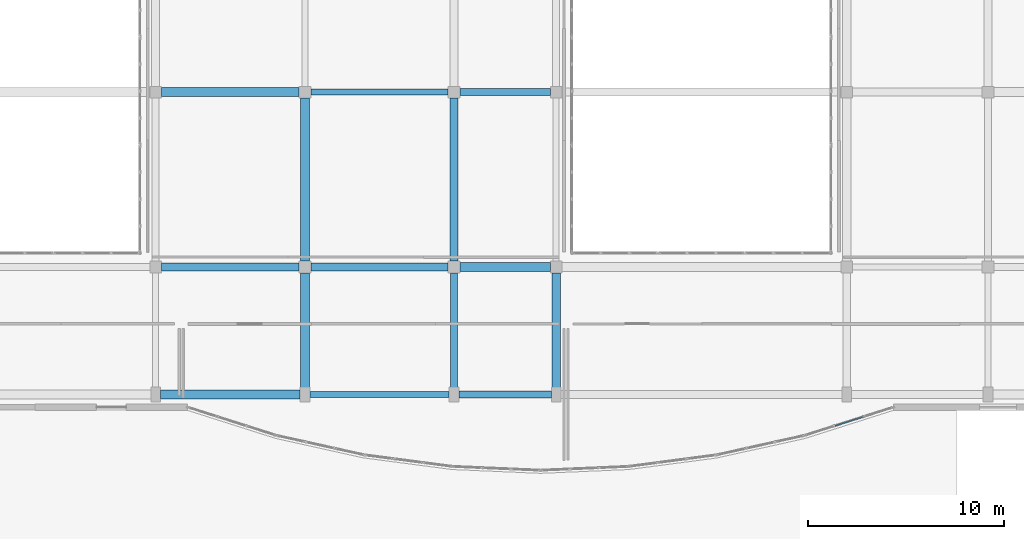
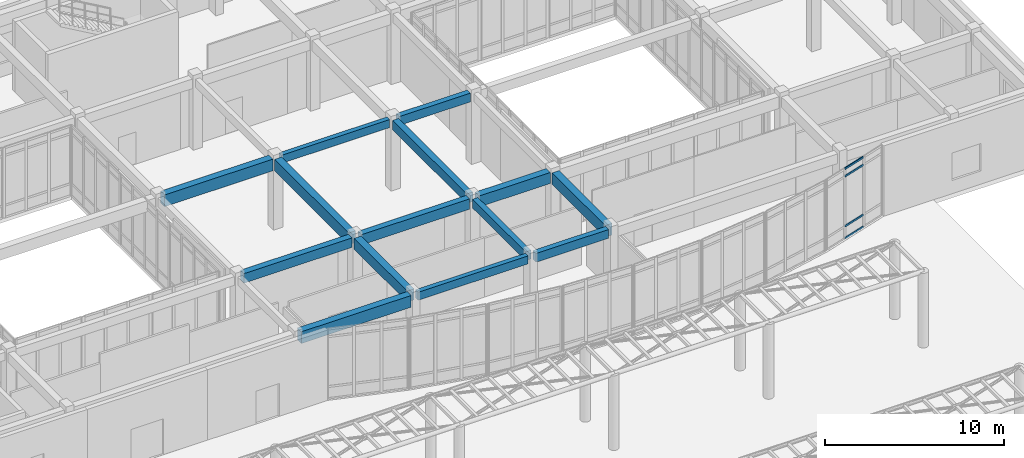
# One storey, part 58 of 121: 14 beams, 4 members, 1 element without a shape of its own.
"""IFC4 building model written with IfcOpenShell, lengths in metres."""

import ifcopenshell
import ifcopenshell.guid

model = None  # the IFC model being written
_history = None  # IfcOwnerHistory: only IFC2X3 demands one
_inside = {}  # id of a spatial element -> (the spatial element, [elements in it])
_under = {}  # id of a project, library or spatial element -> (it, [spatial elements below it])
_declared = {}  # id of a project -> (the project, [libraries it declares])
_typed = {}  # id of a type object -> (the type object, [elements of that type])
_made_of = {}  # id of a material, layer set ... -> (it, [elements and type objects made of it])


def new_model(schema):
    """Start an empty IFC model of exactly this schema.

    Asked for "IFC4X3", IfcOpenShell would pick the latest addendum, in which some entities
    have other attributes; the version numbers below select the first issue.
    IFC2X3 requires an IfcOwnerHistory on every rooted entity: one is made here for all.
    """
    global model, _history
    if schema == "IFC4X3":
        model = ifcopenshell.file(schema_version=(4, 3, 0, 0))
    else:
        model = ifcopenshell.file(schema=schema)
    _inside.clear()
    _under.clear()
    _declared.clear()
    _typed.clear()
    _made_of.clear()
    _history = None
    if model.schema == "IFC2X3":
        org = make("IfcOrganization", Name="unknown")
        user = make(
            "IfcPersonAndOrganization",
            ThePerson=make("IfcPerson", FamilyName="unknown"),
            TheOrganization=org,
        )
        app = make(
            "IfcApplication",
            ApplicationDeveloper=org,
            Version="unknown",
            ApplicationFullName="unknown",
            ApplicationIdentifier="unknown",
        )
        _history = make(
            "IfcOwnerHistory",
            OwningUser=user,
            OwningApplication=app,
            ChangeAction="ADDED",
            CreationDate=0,
        )
    return model


def make(cls, **values):
    """One entity of the class cls with the attributes given. An attribute that is None is left unset."""
    return model.create_entity(
        cls, **{name: value for name, value in values.items() if value is not None}
    )


def rooted(cls, **values):
    """An entity with a GlobalId (a new one), such as an element, a storey or a relation."""
    return make(cls, GlobalId=ifcopenshell.guid.new(), OwnerHistory=_history, **values)


def si_unit(unit_type, name, prefix=None):
    """IfcSIUnit, for example si_unit("LENGTHUNIT", "METRE", prefix="MILLI")."""
    return make("IfcSIUnit", UnitType=unit_type, Prefix=prefix, Name=name)


def assignment(units):
    """IfcUnitAssignment: the units of a project."""
    return None if units is None else make("IfcUnitAssignment", Units=units)


def point(xyz):
    """IfcCartesianPoint."""
    return None if xyz is None else make("IfcCartesianPoint", Coordinates=xyz)


def direction(xyz):
    """IfcDirection."""
    return None if xyz is None else make("IfcDirection", DirectionRatios=xyz)


def frame(location, z_axis=None, x_axis=None):
    """IfcAxis2Placement3D, a coordinate frame: its origin and axes. An axis left out is left unset."""
    return make(
        "IfcAxis2Placement3D",
        Location=point(location),
        Axis=direction(z_axis),
        RefDirection=direction(x_axis),
    )


def frame_2d(location, x_axis=None):
    """IfcAxis2Placement2D, a coordinate frame in the plane: its origin and x axis."""
    return make(
        "IfcAxis2Placement2D", Location=point(location), RefDirection=direction(x_axis)
    )


def origin():
    """The frame at (0, 0, 0) with its axes left unset."""
    return frame((0.0, 0.0, 0.0))


def origin_2d():
    """The frame at (0, 0) in the plane with its x axis left unset."""
    return frame_2d((0.0, 0.0))


def place(relative_to, where):
    """IfcLocalPlacement: puts the frame where relative to a parent placement (None: the world)."""
    return make(
        "IfcLocalPlacement", PlacementRelTo=relative_to, RelativePlacement=where
    )


def context(
    kind, dimensions, precision=None, world=None, true_north=None, identifier=None
):
    """IfcGeometricRepresentationContext, for example the 3D "Model" context."""
    return make(
        "IfcGeometricRepresentationContext",
        ContextIdentifier=identifier,
        ContextType=kind,
        CoordinateSpaceDimension=dimensions,
        Precision=precision,
        WorldCoordinateSystem=world,
        TrueNorth=true_north,
    )


def subcontext(parent, identifier, kind, view, scale=None):
    """IfcGeometricRepresentationSubContext, for example "Body" below "Model"."""
    return make(
        "IfcGeometricRepresentationSubContext",
        ContextIdentifier=identifier,
        ContextType=kind,
        ParentContext=parent,
        TargetScale=scale,
        TargetView=view,
    )


def project(units=None, contexts=None):
    """IfcProject with its units and contexts."""
    return rooted(
        "IfcProject",
        Name="project",
        RepresentationContexts=contexts,
        UnitsInContext=assignment(units),
    )


def spatial(cls, under=None, at=None, **own):
    """A site, building, storey or space (cls), placed at a placement, below another one or the project."""
    s = rooted(cls, ObjectPlacement=at, **own)
    if under is not None:
        _under.setdefault(under.id(), (under, []))[1].append(s)
    return s


def profile(cls, at=None, kind="AREA", **sizes):
    """A parametric profile (cls). Its sizes go by their IFC names, for example OverallWidth=200.0."""
    return make(cls, ProfileType=kind, Position=at, **sizes)


def rectangle(**sizes):
    """IfcRectangleProfileDef."""
    return profile("IfcRectangleProfileDef", **sizes)


def hollow_rectangle(**sizes):
    """IfcRectangleHollowProfileDef."""
    return profile("IfcRectangleHollowProfileDef", **sizes)


def extrude(swept, where, along, depth):
    """IfcExtrudedAreaSolid: the profile swept, set in the frame where, extruded along a direction by depth."""
    return make(
        "IfcExtrudedAreaSolid",
        SweptArea=swept,
        Position=where,
        ExtrudedDirection=direction(along),
        Depth=depth,
    )


def shape(context_of_items, identifier, shape_type, items):
    """IfcShapeRepresentation: the items that make up one representation, for example the "Body"."""
    return make(
        "IfcShapeRepresentation",
        ContextOfItems=context_of_items,
        RepresentationIdentifier=identifier,
        RepresentationType=shape_type,
        Items=items,
    )


def material(Name=None, Category=None):
    """IfcMaterial."""
    return make("IfcMaterial", Name=Name, Category=Category)


def layer(
    of_material, thickness, ventilated=None, Name=None, Category=None, Priority=None
):
    """IfcMaterialLayer: one layer of a wall or slab, of a material (None: an air gap)."""
    return make(
        "IfcMaterialLayer",
        Material=of_material,
        LayerThickness=thickness,
        IsVentilated=ventilated,
        Name=Name,
        Category=Category,
        Priority=Priority,
    )


def layer_set(layers, Name=None):
    """IfcMaterialLayerSet."""
    return make("IfcMaterialLayerSet", MaterialLayers=layers, LayerSetName=Name)


def material_profile(
    of_material, cross_section, Name=None, Category=None, Priority=None
):
    """IfcMaterialProfile: a cross section and its material."""
    return make(
        "IfcMaterialProfile",
        Name=Name,
        Material=of_material,
        Profile=cross_section,
        Priority=Priority,
        Category=Category,
    )


def profile_set(profiles, Name=None, composite=None):
    """IfcMaterialProfileSet."""
    return make(
        "IfcMaterialProfileSet",
        Name=Name,
        MaterialProfiles=profiles,
        CompositeProfile=composite,
    )


def made_of(thing, what):
    """Note that an element or type object is made of a material, layer set ...; save() writes the relation."""
    if what is not None:
        _made_of.setdefault(what.id(), (what, []))[1].append(thing)
    return thing


def type_object(cls, material=None, **own):
    """A type object (cls), such as IfcWallType, which elements share."""
    return made_of(rooted(cls, **own), material)


def element(
    cls,
    number,
    at=None,
    inside=None,
    cuts=None,
    type_object=None,
    material=None,
    context=None,
    identifier="Body",
    shape_type=None,
    held_by="IfcProductDefinitionShape",
    body=None,
    shapes=None,
    **own,
):
    """One element of the class cls, such as IfcWall. Its Tag is "e" and its number.

    at: its placement. inside: the storey or other place that contains it. cuts: it is an
    opening in that element (IfcRelVoidsElement). A single representation is given by context,
    identifier, shape_type and body (its items); several are given by shapes. held_by: the class
    of the entity that holds the representations. save() writes the other relations.
    """
    e = rooted(cls, Tag="e%d" % number, ObjectPlacement=at, **own)
    if body is not None:
        shapes = [shape(context, identifier, shape_type, body)]
    if shapes is not None:
        e.Representation = make(held_by, Representations=shapes)
    if inside is not None:
        _inside.setdefault(inside.id(), (inside, []))[1].append(e)
    if cuts is not None:
        rooted(
            "IfcRelVoidsElement", RelatingBuildingElement=cuts, RelatedOpeningElement=e
        )
    if type_object is not None:
        _typed.setdefault(type_object.id(), (type_object, []))[1].append(e)
    return made_of(e, material)


def aggregate(whole, parts):
    """IfcRelAggregates: a whole, such as a stair, and the parts it consists of."""
    return rooted("IfcRelAggregates", RelatingObject=whole, RelatedObjects=parts)


def save(model, path):
    """Write the relations noted so far, then the file.

    IfcRelAggregates (storeys below a building ...), IfcRelContainedInSpatialStructure (elements
    in a storey), IfcRelDefinesByType, IfcRelAssociatesMaterial and IfcRelDeclares: one each for
    every whole, place, type object, material and project.
    """
    for whole, parts in _under.values():
        aggregate(whole, parts)
    for where, things in _inside.values():
        rooted(
            "IfcRelContainedInSpatialStructure",
            RelatedElements=things,
            RelatingStructure=where,
        )
    for kind, things in _typed.values():
        rooted("IfcRelDefinesByType", RelatedObjects=things, RelatingType=kind)
    for what, things in _made_of.values():
        rooted("IfcRelAssociatesMaterial", RelatedObjects=things, RelatingMaterial=what)
    for by, libraries in _declared.values():
        rooted("IfcRelDeclares", RelatingContext=by, RelatedDefinitions=libraries)
    model.write(path)


model = new_model("IFC4")

# Units and contexts
model_context = context("Model", 3, precision=1e-05, world=origin(), true_north=direction((0.0, 1.0)))
body_context = subcontext(model_context, "Body", "Model", "MODEL_VIEW")
ifc_project = project(units=[si_unit("LENGTHUNIT", "METRE"), si_unit("AREAUNIT", "SQUARE_METRE"), si_unit("VOLUMEUNIT", "CUBIC_METRE"), si_unit("PLANEANGLEUNIT", "RADIAN"), si_unit("MASSUNIT", "GRAM", prefix="KILO")], contexts=[model_context])

# Site, building, storey
site_placement = place(None, origin())
site = spatial("IfcSite", under=ifc_project, at=site_placement, CompositionType="ELEMENT")
building_placement = place(site_placement, origin())
building = spatial("IfcBuilding", under=site, at=building_placement, Name="Valcora Specialist Clinic", CompositionType="ELEMENT")
storey_placement = place(building_placement, origin())
storey = spatial("IfcBuildingStorey", under=building, at=storey_placement, Name="L00", CompositionType="ELEMENT", Elevation=0.0)

# Beams
ifc_material_1 = material(Name="Concrete C40/50", Category="concrete")
ifc_material_profile_1 = material_profile(ifc_material_1, rectangle(XDim=0.300048828125, YDim=0.550048828125, at=origin_2d()), Name="RC-BM-300X550")
ifc_profile_set_1 = profile_set([ifc_material_profile_1], Name="Concrete C40/50")
beam_type_1 = type_object("IfcBeamType", Name="TY-BM-RC300X550", PredefinedType="BEAM", material=ifc_profile_set_1)
beam_1_placement = place(storey_placement, frame((98.64990234375, 74.800048828125, 4.534912109375), z_axis=(1.0, 0.0, 0.0), x_axis=(0.0, 1.0, 0.0)))
element("IfcBeam", 1, at=beam_1_placement, inside=storey, type_object=beam_type_1, Name="Beam BM-L00-0535", PredefinedType="BEAM", context=body_context, shape_type="SweptSolid", body=[
    extrude(rectangle(XDim=0.300048828125, YDim=0.550048828125, at=origin_2d()), origin(), (0.0, 0.0, 1.0), 7.10009765625),
])
beam_2_placement = place(storey_placement, frame((98.699951171875, 90.199951171875, 4.534912109375), z_axis=(1.0, 0.0, 0.0), x_axis=(0.0, 1.0, 0.0)))
element("IfcBeam", 2, at=beam_2_placement, inside=storey, type_object=beam_type_1, Name="Beam BM-L00-0553", PredefinedType="BEAM", context=body_context, shape_type="SweptSolid", body=[
    extrude(rectangle(XDim=0.300048828125, YDim=0.550048828125, at=origin_2d()), origin(), (0.0, 0.0, 1.0), 7.0),
])
ifc_material_profile_2 = material_profile(ifc_material_1, rectangle(XDim=0.35009765625, YDim=0.60009765625, at=origin_2d()), Name="RC-BM-350X600")
ifc_profile_set_2 = profile_set([ifc_material_profile_2], Name="Concrete C40/50")
beam_type_2 = type_object("IfcBeamType", Name="TY-BM-RC350X600", PredefinedType="BEAM", material=ifc_profile_set_2)
beam_3_placement = place(storey_placement, frame((106.25, 74.800048828125, 4.510009765625), z_axis=(1.0, 0.0, 0.0), x_axis=(0.0, 1.0, 0.0)))
element("IfcBeam", 3, at=beam_3_placement, inside=storey, type_object=beam_type_2, Name="Beam BM-L00-0536", PredefinedType="BEAM", context=body_context, shape_type="SweptSolid", body=[
    extrude(rectangle(XDim=0.35009765625, YDim=0.60009765625, at=origin_2d()), origin(), (0.0, 0.0, 1.0), 4.699951171875),
])
beam_4_placement = place(storey_placement, frame((106.300048828125, 90.199951171875, 4.510009765625), z_axis=(1.0, 0.0, 0.0), x_axis=(0.0, 1.0, 0.0)))
element("IfcBeam", 4, at=beam_4_placement, inside=storey, type_object=beam_type_2, Name="Beam BM-L00-0554", PredefinedType="BEAM", context=body_context, shape_type="SweptSolid", body=[
    extrude(rectangle(XDim=0.35009765625, YDim=0.60009765625, at=origin_2d()), origin(), (0.0, 0.0, 1.0), 4.599853515625),
])
beam_5_placement = place(storey_placement, frame((106.0, 75.050048828125, 4.510009765625), z_axis=(0.0, 1.0, 0.0), x_axis=(-1.0, 0.0, 0.0)))
element("IfcBeam", 5, at=beam_5_placement, inside=storey, type_object=beam_type_2, Name="Beam BM-L00-0594", PredefinedType="BEAM", context=body_context, shape_type="SweptSolid", body=[
    extrude(rectangle(XDim=0.35009765625, YDim=0.60009765625, at=origin_2d()), origin(), (0.0, 0.0, 1.0), 5.949951171875),
])
ifc_material_profile_3 = material_profile(ifc_material_1, rectangle(XDim=0.39990234375, YDim=0.64990234375, at=origin_2d()), Name="RC-BM-400X650")
ifc_profile_set_3 = profile_set([ifc_material_profile_3], Name="Concrete C40/50")
beam_type_3 = type_object("IfcBeamType", Name="TY-BM-RC400X650", PredefinedType="BEAM", material=ifc_profile_set_3)
beam_6_placement = place(storey_placement, frame((91.10009765625, 81.300048828125, 4.485107421875), z_axis=(1.0, 0.0, 0.0), x_axis=(0.0, 1.0, 0.0)))
element("IfcBeam", 6, at=beam_6_placement, inside=storey, type_object=beam_type_3, Name="Beam BM-L00-0543", PredefinedType="BEAM", context=body_context, shape_type="SweptSolid", body=[
    extrude(rectangle(XDim=0.39990234375, YDim=0.64990234375, at=origin_2d()), origin(), (0.0, 0.0, 1.0), 7.0),
])
beam_7_placement = place(storey_placement, frame((106.0, 81.60009765625, 4.485107421875), z_axis=(0.0, 1.0, 0.0), x_axis=(-1.0, 0.0, 0.0)))
element("IfcBeam", 7, at=beam_7_placement, inside=storey, type_object=beam_type_3, Name="Beam BM-L00-0595", PredefinedType="BEAM", context=body_context, shape_type="SweptSolid", body=[
    extrude(rectangle(XDim=0.39990234375, YDim=0.64990234375, at=origin_2d()), origin(), (0.0, 0.0, 1.0), 8.2998046875),
])
ifc_material_profile_4 = material_profile(ifc_material_1, rectangle(XDim=0.39990234375, YDim=0.699951171875, at=origin_2d()), Name="RC-BM-400X700")
ifc_profile_set_4 = profile_set([ifc_material_profile_4], Name="Concrete C40/50")
beam_type_4 = type_object("IfcBeamType", Name="TY-BM-RC400X700", PredefinedType="BEAM", material=ifc_profile_set_4)
beam_8_placement = place(storey_placement, frame((98.699951171875, 81.300048828125, 4.4599609375), z_axis=(1.0, 0.0, 0.0), x_axis=(0.0, 1.0, 0.0)))
element("IfcBeam", 8, at=beam_8_placement, inside=storey, type_object=beam_type_4, Name="Beam BM-L00-0544", PredefinedType="BEAM", context=body_context, shape_type="SweptSolid", body=[
    extrude(rectangle(XDim=0.39990234375, YDim=0.699951171875, at=origin_2d()), origin(), (0.0, 0.0, 1.0), 7.0),
])
ifc_material_profile_5 = material_profile(ifc_material_1, rectangle(XDim=0.449951171875, YDim=0.75, at=origin_2d()), Name="RC-BM-450X750")
ifc_profile_set_5 = profile_set([ifc_material_profile_5], Name="Concrete C40/50")
beam_type_5 = type_object("IfcBeamType", Name="TY-BM-RC450X750", PredefinedType="BEAM", material=ifc_profile_set_5)
beam_9_placement = place(storey_placement, frame((106.300048828125, 81.300048828125, 4.43505859375), z_axis=(1.0, 0.0, 0.0), x_axis=(0.0, 1.0, 0.0)))
element("IfcBeam", 9, at=beam_9_placement, inside=storey, type_object=beam_type_5, Name="Beam BM-L00-0545", PredefinedType="BEAM", context=body_context, shape_type="SweptSolid", body=[
    extrude(rectangle(XDim=0.449951171875, YDim=0.75, at=origin_2d()), origin(), (0.0, 0.0, 1.0), 4.599853515625),
])
beam_10_placement = place(storey_placement, frame((98.39990234375, 75.050048828125, 4.43505859375), z_axis=(0.0, 1.0, 0.0), x_axis=(-1.0, 0.0, 0.0)))
element("IfcBeam", 10, at=beam_10_placement, inside=storey, type_object=beam_type_5, Name="Beam BM-L00-0591", PredefinedType="BEAM", context=body_context, shape_type="SweptSolid", body=[
    extrude(rectangle(XDim=0.449951171875, YDim=0.75, at=origin_2d()), origin(), (0.0, 0.0, 1.0), 5.949951171875),
])
ifc_material_profile_6 = material_profile(ifc_material_1, rectangle(XDim=0.449951171875, YDim=0.800048828125, at=origin_2d()), Name="RC-BM-450X800")
ifc_profile_set_6 = profile_set([ifc_material_profile_6], Name="Concrete C40/50")
beam_type_6 = type_object("IfcBeamType", Name="TY-BM-RC450X800", PredefinedType="BEAM", material=ifc_profile_set_6)
beam_11_placement = place(storey_placement, frame((91.050048828125, 74.800048828125, 4.409912109375), z_axis=(1.0, 0.0, 0.0), x_axis=(0.0, 1.0, 0.0)))
element("IfcBeam", 11, at=beam_11_placement, inside=storey, type_object=beam_type_6, Name="Beam BM-L00-0534", PredefinedType="BEAM", context=body_context, shape_type="SweptSolid", body=[
    extrude(rectangle(XDim=0.449951171875, YDim=0.800048828125, at=origin_2d()), origin(), (0.0, 0.0, 1.0), 7.099853515625),
])
beam_12_placement = place(storey_placement, frame((91.10009765625, 90.199951171875, 4.409912109375), z_axis=(1.0, 0.0, 0.0), x_axis=(0.0, 1.0, 0.0)))
element("IfcBeam", 12, at=beam_12_placement, inside=storey, type_object=beam_type_6, Name="Beam BM-L00-0552", PredefinedType="BEAM", context=body_context, shape_type="SweptSolid", body=[
    extrude(rectangle(XDim=0.449951171875, YDim=0.800048828125, at=origin_2d()), origin(), (0.0, 0.0, 1.0), 7.0),
])
beam_13_placement = place(storey_placement, frame((98.39990234375, 81.60009765625, 4.409912109375), z_axis=(0.0, 1.0, 0.0), x_axis=(-1.0, 0.0, 0.0)))
element("IfcBeam", 13, at=beam_13_placement, inside=storey, type_object=beam_type_6, Name="Beam BM-L00-0592", PredefinedType="BEAM", context=body_context, shape_type="SweptSolid", body=[
    extrude(rectangle(XDim=0.449951171875, YDim=0.800048828125, at=origin_2d()), origin(), (0.0, 0.0, 1.0), 8.2998046875),
])
beam_14_placement = place(storey_placement, frame((111.199951171875, 75.050048828125, 4.409912109375), z_axis=(0.0, 1.0, 0.0), x_axis=(-1.0, 0.0, 0.0)))
element("IfcBeam", 14, at=beam_14_placement, inside=storey, type_object=beam_type_6, Name="Beam BM-L00-0598", PredefinedType="BEAM", context=body_context, shape_type="SweptSolid", body=[
    extrude(rectangle(XDim=0.449951171875, YDim=0.800048828125, at=origin_2d()), origin(), (0.0, 0.0, 1.0), 5.949951171875),
])

# Curtain wall, members
ifc_material_2 = material(Name="Anodized Bronze Aluminium 6063-T6", Category="aluminium")
ifc_layer = layer(ifc_material_2, 0.175048828125)
ifc_layer_set = layer_set([ifc_layer], Name="Anodized Bronze Aluminium 6063-T6")
curtain_wall_type = type_object("IfcCurtainWallType", Name="TY-CW-ARC51", PredefinedType="NOTDEFINED", material=ifc_layer_set)
curtain_wall_placement = place(storey_placement, origin())
curtain_wall = element("IfcCurtainWall", 15, at=curtain_wall_placement, inside=storey, type_object=curtain_wall_type, Name="Curtain wall CW-L00-021", PredefinedType="NOTDEFINED")
ifc_material_profile_7 = material_profile(ifc_material_2, hollow_rectangle(XDim=0.06494140625, YDim=0.1298828125, WallThickness=0.00390625, at=origin_2d()), Name="AL-TRN-65X130")
ifc_profile_set_7 = profile_set([ifc_material_profile_7], Name="Anodized Bronze Aluminium 6063-T6")
member_type = type_object("IfcMemberType", Name="TY-CWT-65X130", PredefinedType="USERDEFINED", material=ifc_profile_set_7)
member_1_placement = place(storey_placement, frame((126.840576171875, 73.6611328125, 0.032470703125), z_axis=(-0.952930013692, -0.303190351109, 0.0), x_axis=(0.303190351109, -0.952930013692, 0.0)))
member_1 = element("IfcMember", 16, at=member_1_placement, type_object=member_type, Name="CW-ARC-51 transom 2.1", ObjectType="TRANSOM", PredefinedType="USERDEFINED", context=body_context, shape_type="SweptSolid", body=[
    extrude(hollow_rectangle(XDim=0.06494140625, YDim=0.1298828125, WallThickness=0.00390625, at=origin_2d()), origin(), (0.0, 0.0, 1.0), 1.5146484375),
])
member_2_placement = place(storey_placement, frame((126.840576171875, 73.6611328125, 0.85009765625), z_axis=(-0.952930013692, -0.303190351109, 0.0), x_axis=(0.303190351109, -0.952930013692, 0.0)))
member_2 = element("IfcMember", 17, at=member_2_placement, type_object=member_type, Name="CW-ARC-51 transom 2.2", ObjectType="TRANSOM", PredefinedType="USERDEFINED", context=body_context, shape_type="SweptSolid", body=[
    extrude(hollow_rectangle(XDim=0.06494140625, YDim=0.1298828125, WallThickness=0.00390625, at=origin_2d()), origin(), (0.0, 0.0, 1.0), 1.5146484375),
])
member_3_placement = place(storey_placement, frame((126.840576171875, 73.6611328125, 4.260009765625), z_axis=(-0.952930013692, -0.303190351109, 0.0), x_axis=(0.303190351109, -0.952930013692, 0.0)))
member_3 = element("IfcMember", 18, at=member_3_placement, type_object=member_type, Name="CW-ARC-51 transom 2.3", ObjectType="TRANSOM", PredefinedType="USERDEFINED", context=body_context, shape_type="SweptSolid", body=[
    extrude(hollow_rectangle(XDim=0.06494140625, YDim=0.1298828125, WallThickness=0.00390625, at=origin_2d()), origin(), (0.0, 0.0, 1.0), 1.5146484375),
])
member_4_placement = place(storey_placement, frame((126.840576171875, 73.6611328125, 4.777587890625), z_axis=(-0.952930013692, -0.303190351109, 0.0), x_axis=(0.303190351109, -0.952930013692, 0.0)))
member_4 = element("IfcMember", 19, at=member_4_placement, type_object=member_type, Name="CW-ARC-51 transom 2.4", ObjectType="TRANSOM", PredefinedType="USERDEFINED", context=body_context, shape_type="SweptSolid", body=[
    extrude(hollow_rectangle(XDim=0.06494140625, YDim=0.1298828125, WallThickness=0.00390625, at=origin_2d()), origin(), (0.0, 0.0, 1.0), 1.5146484375),
])
aggregate(curtain_wall, [member_1, member_2, member_3, member_4])

save(model, "model.ifc")
